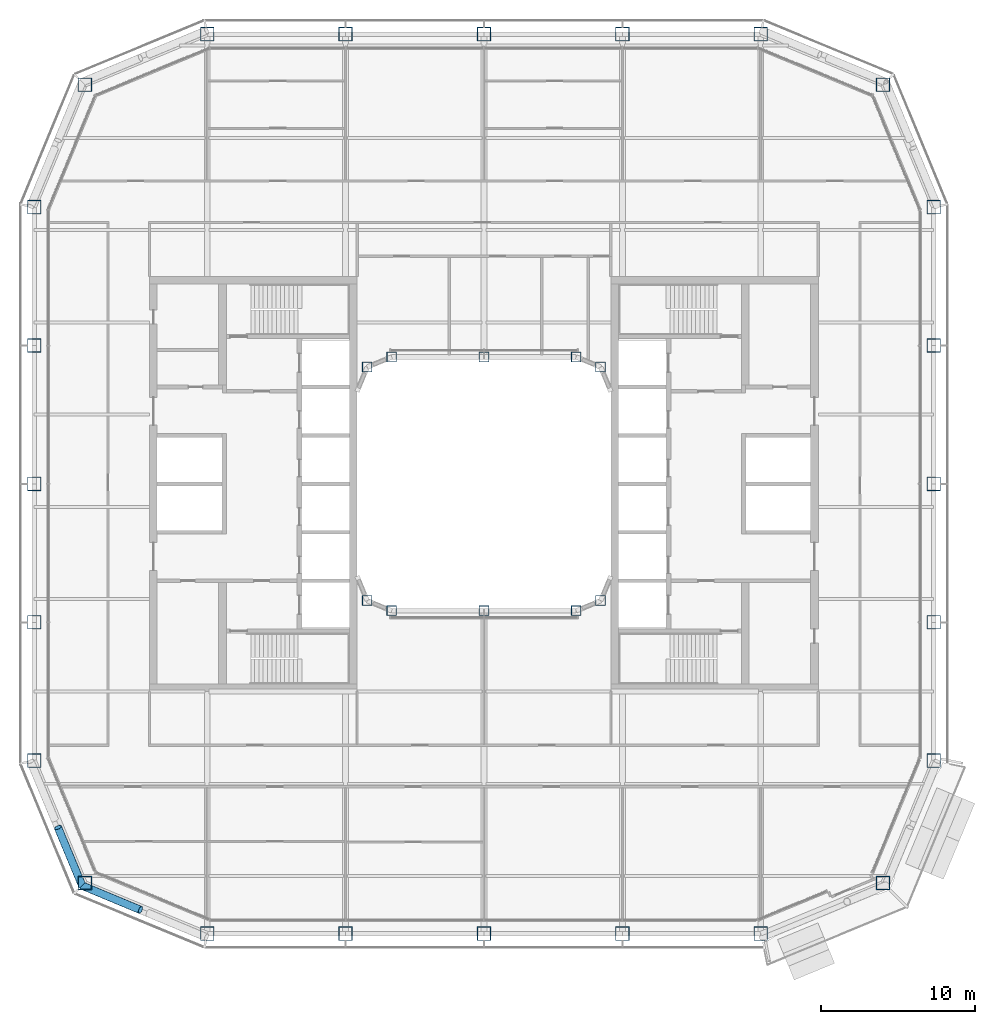
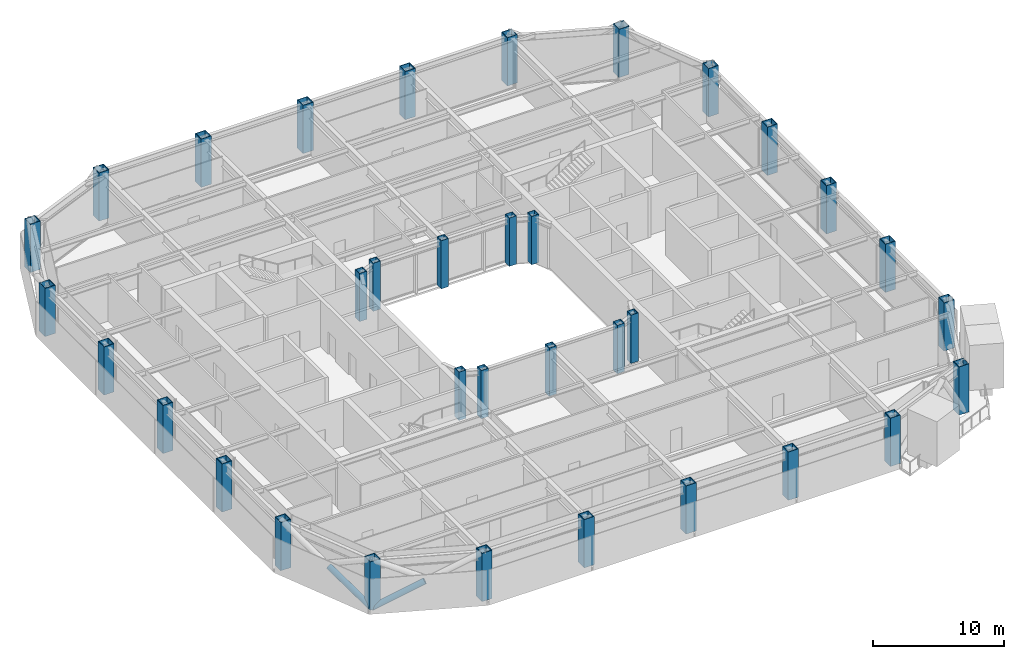
# One storey, part 1 of 23: 34 columns, 2 members.
"""IFC4 building model written with IfcOpenShell, lengths in metres."""

from ifc_helpers import new_model, si_unit, direction, frame, origin, origin_2d, place, context, subcontext, project, spatial, hollow_rectangle, hollow_circle, extrude, material, material_profile, profile_set, type_object, element, save


model = new_model("IFC4")

# Units and contexts
model_context = context("Model", 3, precision=1e-05, world=origin(), true_north=direction((0.0, 1.0)))
body_context = subcontext(model_context, "Body", "Model", "MODEL_VIEW")
ifc_project = project(units=[si_unit("LENGTHUNIT", "METRE"), si_unit("AREAUNIT", "SQUARE_METRE"), si_unit("VOLUMEUNIT", "CUBIC_METRE"), si_unit("PLANEANGLEUNIT", "RADIAN"), si_unit("MASSUNIT", "GRAM", prefix="KILO")], contexts=[model_context])

# Site, building, storey
site_placement = place(None, origin())
site = spatial("IfcSite", under=ifc_project, at=site_placement, CompositionType="ELEMENT")
building_placement = place(site_placement, origin())
building = spatial("IfcBuilding", under=site, at=building_placement, Name="Siwar Civic Tower", CompositionType="ELEMENT")
storey_placement = place(building_placement, frame((0.0, 0.0, 145.199951171875)))
storey = spatial("IfcBuildingStorey", under=building, at=storey_placement, Name="L31", CompositionType="ELEMENT", Elevation=145.199951171875)

# Columns
ifc_material_1 = material(Name="Steel S355", Category="steel")
ifc_material_profile_1 = material_profile(ifc_material_1, hollow_rectangle(XDim=0.89990234375, YDim=0.89990234375, WallThickness=0.050048828125, at=origin_2d()), Name="BOX900x900x50")
ifc_profile_set_1 = profile_set([ifc_material_profile_1], Name="Steel S355")
column_type_1 = type_object("IfcColumnType", Name="STR-COL-BOX900x900x50", PredefinedType="COLUMN", material=ifc_profile_set_1)
for number, where, z_axis, x_axis, name in (
    (1, (-18.0, -29.25, 0.0), (0.0, 0.0, 1.0), (1.0, 0.0, 0.0), "L31/col/S-0"),
    (2, (-9.0, -29.25, 0.0), (0.0, 0.0, 1.0), (1.0, 0.0, 0.0), "L31/col/S-1"),
    (3, (0.0, -29.25, 0.0), (0.0, 0.0, 1.0), (1.0, 0.0, 0.0), "L31/col/S-2"),
    (4, (9.0, -29.25, 0.0), (0.0, 0.0, 1.0), (1.0, 0.0, 0.0), "L31/col/S-3"),
    (5, (18.0, -29.25, 0.0), (0.0, 0.0, 1.0), (1.0, 0.0, 0.0), "L31/col/SE1-0"),
    (6, (25.954833984375, -25.954833984375, 0.0), (0.0, 0.0, 1.0), (1.0, 0.0, 0.0), "L31/col/SE2-0"),
    (7, (29.25, -18.0, 0.0), (0.0, 0.0, 1.0), (1.0, 0.0, 0.0), "L31/col/E-0"),
    (8, (29.25, -9.0, 0.0), (0.0, 0.0, 1.0), (1.0, 0.0, 0.0), "L31/col/E-1"),
    (9, (29.25, 0.0, 0.0), (0.0, 0.0, 1.0), (1.0, 0.0, 0.0), "L31/col/E-2"),
    (10, (29.25, 9.0, 0.0), (0.0, 0.0, 1.0), (1.0, 0.0, 0.0), "L31/col/E-3"),
    (11, (29.25, 18.0, 0.0), (0.0, 0.0, 1.0), (1.0, 0.0, 0.0), "L31/col/NE1-0"),
    (12, (25.954833984375, 25.954833984375, 0.0), (0.0, 0.0, 1.0), (1.0, 0.0, 0.0), "L31/col/NE2-0"),
    (13, (18.0, 29.25, 0.0), (0.0, 0.0, 1.0), (1.0, 0.0, 0.0), "L31/col/N-0"),
    (14, (9.0, 29.25, 0.0), (0.0, 0.0, 1.0), (1.0, 0.0, 0.0), "L31/col/N-1"),
    (15, (0.0, 29.25, 0.0), (0.0, 0.0, 1.0), (1.0, 0.0, 0.0), "L31/col/N-2"),
    (16, (-9.0, 29.25, 0.0), (0.0, 0.0, 1.0), (1.0, 0.0, 0.0), "L31/col/N-3"),
    (17, (-18.0, 29.25, 0.0), (0.0, 0.0, 1.0), (1.0, 0.0, 0.0), "L31/col/NW1-0"),
    (18, (-25.954833984375, 25.954833984375, 0.0), (0.0, 0.0, 1.0), (1.0, 0.0, 0.0), "L31/col/NW2-0"),
    (19, (-29.25, 18.0, 0.0), (0.0, 0.0, 1.0), (1.0, 0.0, 0.0), "L31/col/W-0"),
    (20, (-29.25, 9.0, 0.0), (0.0, 0.0, 1.0), (1.0, 0.0, 0.0), "L31/col/W-1"),
    (21, (-29.25, 0.0, 0.0), (0.0, 0.0, 1.0), (1.0, 0.0, 0.0), "L31/col/W-2"),
    (22, (-29.25, -9.0, 0.0), (0.0, 0.0, 1.0), (1.0, 0.0, 0.0), "L31/col/W-3"),
    (23, (-29.25, -18.0, 0.0), (0.0, 0.0, 1.0), (1.0, 0.0, 0.0), "L31/col/SW1-0"),
    (24, (-25.954833984375, -25.954833984375, 0.0), (0.0, 0.0, 1.0), (1.0, 0.0, 0.0), "L31/col/SW2-0"),
):
    element("IfcColumn", number, at=place(storey_placement, frame(where, z_axis=z_axis, x_axis=x_axis)), inside=storey, type_object=column_type_1, Name=name, PredefinedType="COLUMN", context=body_context, shape_type="SweptSolid", body=[
        extrude(hollow_rectangle(XDim=0.89990234375, YDim=0.89990234375, WallThickness=0.050048828125, at=origin_2d()), origin(), (0.0, 0.0, 1.0), 4.5),
    ])
ifc_material_2 = material(Name="Steel S355", Category="steel")
ifc_material_profile_2 = material_profile(ifc_material_2, hollow_rectangle(XDim=0.64990234375, YDim=0.64990234375, WallThickness=0.035888671875, at=origin_2d()), Name="BOX650x650x36")
ifc_profile_set_2 = profile_set([ifc_material_profile_2], Name="Steel S355")
column_type_2 = type_object("IfcColumnType", Name="STR-ICOL-BOX650x650x36", PredefinedType="COLUMN", material=ifc_profile_set_2)
for number, where, z_axis, x_axis, name in (
    (25, (-7.591064453125, -7.591064453125, 0.0), (0.0, 0.0, 1.0), (1.0, 0.0, 0.0), "L31/col/IS-0"),
    (26, (-6.0, -8.25, 0.0), (0.0, 0.0, 1.0), (1.0, 0.0, 0.0), "L31/col/IS-1"),
    (27, (0.0, -8.25, 0.0), (0.0, 0.0, 1.0), (1.0, 0.0, 0.0), "L31/col/IS-2"),
    (28, (6.0, -8.25, 0.0), (0.0, 0.0, 1.0), (1.0, 0.0, 0.0), "L31/col/IS-3"),
    (29, (7.591064453125, -7.591064453125, 0.0), (0.0, 0.0, 1.0), (1.0, 0.0, 0.0), "L31/col/IS-4"),
    (30, (-7.591064453125, 7.591064453125, 0.0), (0.0, 0.0, 1.0), (1.0, 0.0, 0.0), "L31/col/IN-0"),
    (31, (-6.0, 8.25, 0.0), (0.0, 0.0, 1.0), (1.0, 0.0, 0.0), "L31/col/IN-1"),
    (32, (0.0, 8.25, 0.0), (0.0, 0.0, 1.0), (1.0, 0.0, 0.0), "L31/col/IN-2"),
    (33, (6.0, 8.25, 0.0), (0.0, 0.0, 1.0), (1.0, 0.0, 0.0), "L31/col/IN-3"),
    (34, (7.591064453125, 7.591064453125, 0.0), (0.0, 0.0, 1.0), (1.0, 0.0, 0.0), "L31/col/IN-4"),
):
    element("IfcColumn", number, at=place(storey_placement, frame(where, z_axis=z_axis, x_axis=x_axis)), inside=storey, type_object=column_type_2, Name=name, PredefinedType="COLUMN", context=body_context, shape_type="SweptSolid", body=[
        extrude(hollow_rectangle(XDim=0.64990234375, YDim=0.64990234375, WallThickness=0.035888671875, at=origin_2d()), origin(), (0.0, 0.0, 1.0), 4.5),
    ])

# Members
ifc_material_3 = material(Name="Steel S355", Category="steel")
ifc_material_profile_3 = material_profile(ifc_material_3, hollow_circle(Radius=0.25390625, WallThickness=0.02490234375, at=origin_2d()), Name="CHS508x25")
ifc_profile_set_3 = profile_set([ifc_material_profile_3], Name="Steel S355")
member_type = type_object("IfcMemberType", Name="STR-BR-CHS508x25", PredefinedType="BRACE", material=ifc_profile_set_3)
for number, where, z_axis, x_axis, name in (
    (35, (-26.1318359375, -26.1318359375, 0.0), (0.821143275065, -0.341662474736, 0.457154760636), (0.384154943021, 0.923268638995, 0.0), "L31/brc/BSW1-10-0-2"),
    (36, (-26.1318359375, -26.1318359375, 0.0), (-0.341662474736, 0.821143275065, 0.457154760636), (-0.923268638995, -0.384154943021, 0.0), "L31/brc/BSW1-10-0-4"),
):
    element("IfcMember", number, at=place(storey_placement, frame(where, z_axis=z_axis, x_axis=x_axis)), inside=storey, type_object=member_type, Name=name, PredefinedType="BRACE", context=body_context, shape_type="SweptSolid", body=[
        extrude(hollow_circle(Radius=0.25390625, WallThickness=0.02490234375, at=origin_2d()), origin(), (0.0, 0.0, 1.0), 4.61474609375),
    ])

save(model, "model.ifc")
